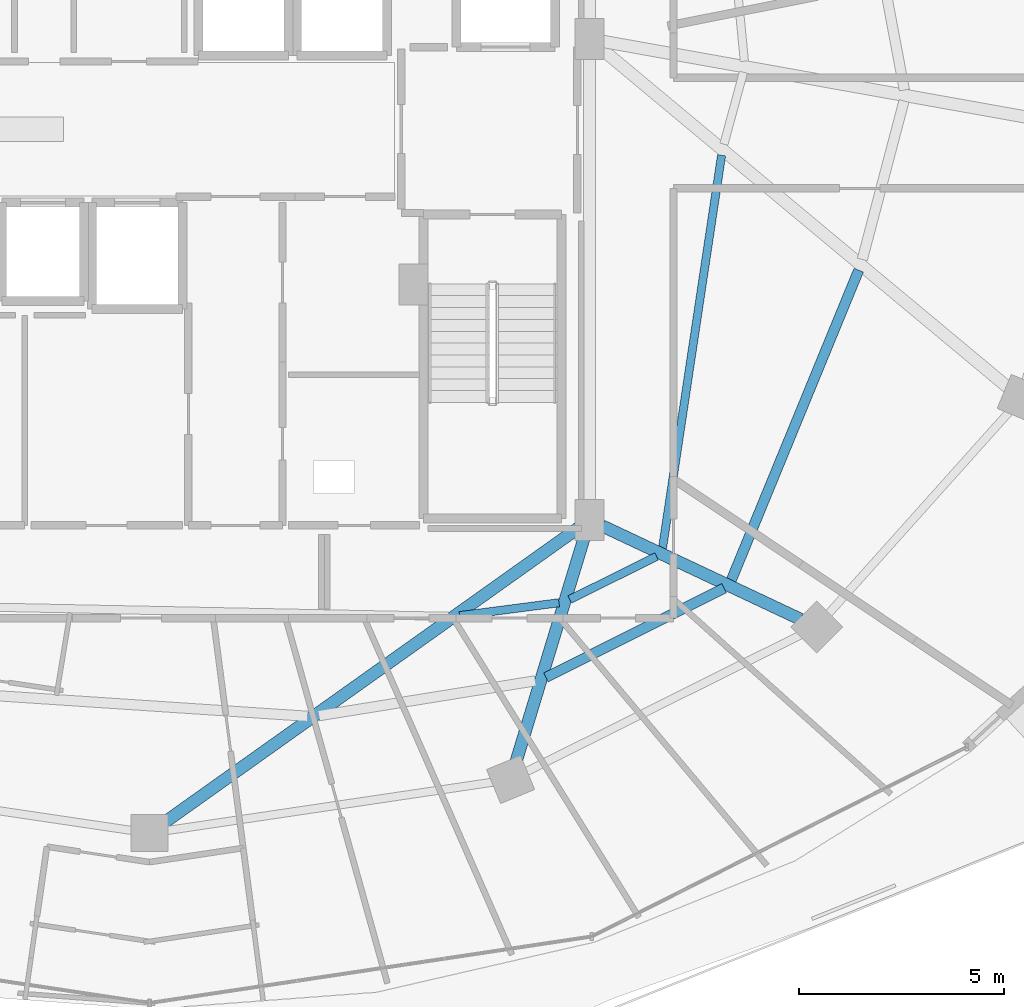
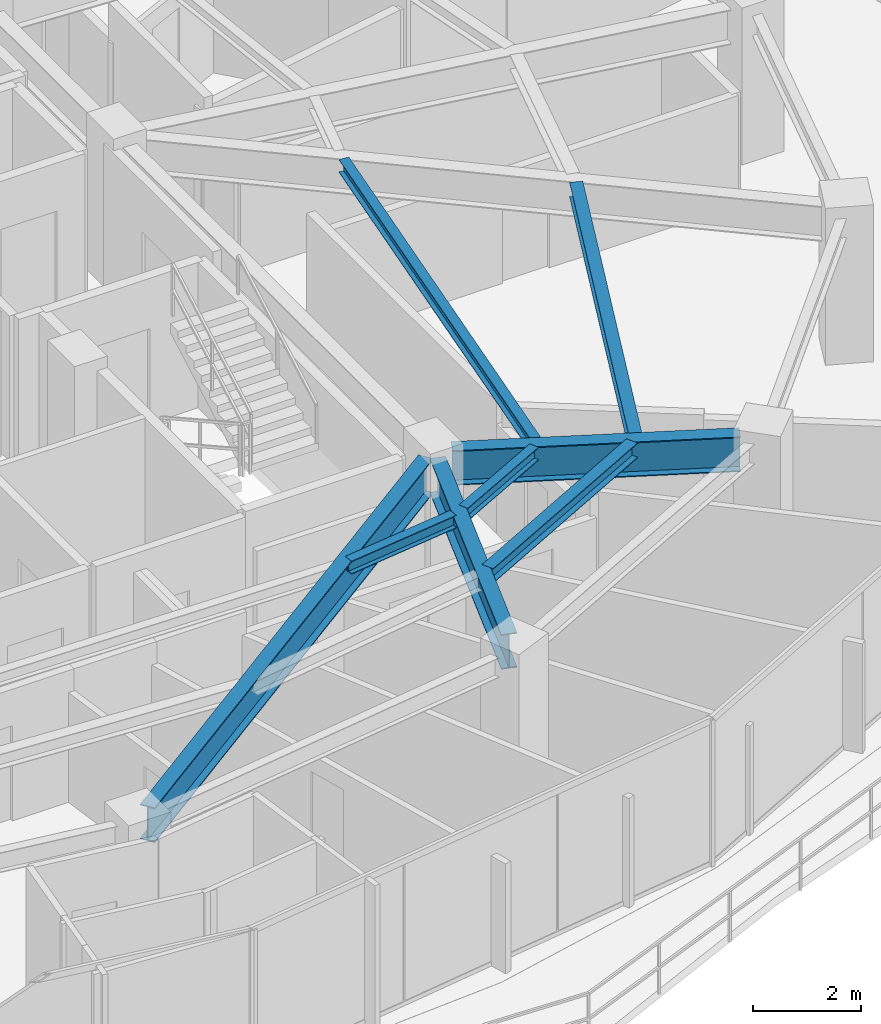
# One storey, part 12 of 34: 8 beams.
"""IFC4 building model written with IfcOpenShell, lengths in metres."""

from ifc_helpers import new_model, si_unit, direction, frame, origin, origin_2d, place, context, subcontext, project, spatial, i_section, extrude, material, material_profile, profile_set, type_object, element, save


model = new_model("IFC4")

# Units and contexts
model_context = context("Model", 3, precision=1e-05, world=origin(), true_north=direction((0.0, 1.0)))
body_context = subcontext(model_context, "Body", "Model", "MODEL_VIEW")
ifc_project = project(units=[si_unit("LENGTHUNIT", "METRE"), si_unit("AREAUNIT", "SQUARE_METRE"), si_unit("VOLUMEUNIT", "CUBIC_METRE"), si_unit("PLANEANGLEUNIT", "RADIAN"), si_unit("MASSUNIT", "GRAM", prefix="KILO")], contexts=[model_context])

# Site, building, storey
site_placement = place(None, origin())
site = spatial("IfcSite", under=ifc_project, at=site_placement, CompositionType="ELEMENT")
building_placement = place(site_placement, origin())
building = spatial("IfcBuilding", under=site, at=building_placement, Name="Vorneva Point Tower", CompositionType="ELEMENT")
storey_placement = place(building_placement, frame((0.0, 0.0, 214.300048828125)))
storey = spatial("IfcBuildingStorey", under=building, at=storey_placement, Name="L58", CompositionType="ELEMENT", Elevation=214.300048828125)

# Beams
ifc_material = material(Name="Steel S355", Category="steel")
ifc_material_profile_1 = material_profile(ifc_material, i_section(OverallWidth=0.300048828125, OverallDepth=0.7880859375, WebThickness=0.014404296875, FlangeThickness=0.02197265625, at=origin_2d()), Name="80Sh1")
ifc_profile_set_1 = profile_set([ifc_material_profile_1], Name="Steel S355")
beam_type_1 = type_object("IfcBeamType", Name="BM-GRD-80Sh1", PredefinedType="USERDEFINED", material=ifc_profile_set_1)
beam_1_placement = place(storey_placement, frame((38.35693359375, 9.053955078125, 2.89599609375), z_axis=(0.814749933852, 0.579812508737, 0.0), x_axis=(-0.579812508737, 0.814749933852, 0.0)))
element("IfcBeam", 1, at=beam_1_placement, inside=storey, type_object=beam_type_1, Name="L58 Radial Primary Girder 13", ObjectType="GIRDER", PredefinedType="USERDEFINED", context=body_context, shape_type="SweptSolid", body=[
    extrude(i_section(OverallWidth=0.300048828125, OverallDepth=0.7880859375, WebThickness=0.014404296875, FlangeThickness=0.02197265625, at=origin_2d()), origin(), (0.0, 0.0, 1.0), 12.416015625),
])
beam_2_placement = place(storey_placement, frame((46.948486328125, 10.5283203125, 2.89599609375), z_axis=(0.291025429135, 0.956715317948, 0.0), x_axis=(-0.956715317948, 0.291025429135, 0.0)))
element("IfcBeam", 2, at=beam_2_placement, inside=storey, type_object=beam_type_1, Name="L58 Radial Primary Girder 14", ObjectType="GIRDER", PredefinedType="USERDEFINED", context=body_context, shape_type="SweptSolid", body=[
    extrude(i_section(OverallWidth=0.300048828125, OverallDepth=0.7880859375, WebThickness=0.014404296875, FlangeThickness=0.02197265625, at=origin_2d()), origin(), (0.0, 0.0, 1.0), 5.849609375),
])
beam_3_placement = place(storey_placement, frame((53.902587890625, 14.0244140625, 2.89599609375), z_axis=(-0.904762899762, 0.42591559635, 0.0), x_axis=(-0.42591559635, -0.904762899762, 0.0)))
element("IfcBeam", 3, at=beam_3_placement, inside=storey, type_object=beam_type_1, Name="L58 Radial Primary Girder 15", ObjectType="GIRDER", PredefinedType="USERDEFINED", context=body_context, shape_type="SweptSolid", body=[
    extrude(i_section(OverallWidth=0.300048828125, OverallDepth=0.7880859375, WebThickness=0.014404296875, FlangeThickness=0.02197265625, at=origin_2d()), origin(), (0.0, 0.0, 1.0), 5.35498046875),
])
ifc_material_profile_2 = material_profile(ifc_material, i_section(OverallWidth=0.199951171875, OverallDepth=0.291015625, WebThickness=0.008056640625, FlangeThickness=0.010986328125, at=origin_2d()), Name="30Sh1")
ifc_profile_set_2 = profile_set([ifc_material_profile_2], Name="Steel S355")
beam_type_2 = type_object("IfcBeamType", Name="BM-SEC-30Sh1", PredefinedType="BEAM", material=ifc_profile_set_2)
beam_4_placement = place(storey_placement, frame((45.574951171875, 14.111083984375, 3.14453125), z_axis=(0.991593183209, 0.129394586489, 0.0), x_axis=(-0.129394586489, 0.991593183209, 0.0)))
element("IfcBeam", 4, at=beam_4_placement, inside=storey, type_object=beam_type_2, Name="L58 Secondary Floor Beam 2.13", PredefinedType="BEAM", context=body_context, shape_type="SweptSolid", body=[
    extrude(i_section(OverallWidth=0.199951171875, OverallDepth=0.291015625, WebThickness=0.008056640625, FlangeThickness=0.010986328125, at=origin_2d()), origin(), (0.0, 0.0, 1.0), 2.448974609375),
])
beam_5_placement = place(storey_placement, frame((48.263916015625, 14.507080078125, 3.14453125), z_axis=(0.895946483514, 0.4441620185, 0.0), x_axis=(-0.4441620185, 0.895946483514, 0.0)))
element("IfcBeam", 5, at=beam_5_placement, inside=storey, type_object=beam_type_2, Name="L58 Secondary Floor Beam 2.14", PredefinedType="BEAM", context=body_context, shape_type="SweptSolid", body=[
    extrude(i_section(OverallWidth=0.199951171875, OverallDepth=0.291015625, WebThickness=0.008056640625, FlangeThickness=0.010986328125, at=origin_2d()), origin(), (0.0, 0.0, 1.0), 2.3701171875),
])
beam_6_placement = place(storey_placement, frame((50.531494140625, 15.75732421875, 3.14453125), z_axis=(0.14865392948, 0.988889280582, 0.0), x_axis=(-0.988889280582, 0.14865392948, 0.0)))
element("IfcBeam", 6, at=beam_6_placement, inside=storey, type_object=beam_type_2, Name="L58 Secondary Floor Beam 2.15", PredefinedType="BEAM", context=body_context, shape_type="SweptSolid", body=[
    extrude(i_section(OverallWidth=0.199951171875, OverallDepth=0.291015625, WebThickness=0.008056640625, FlangeThickness=0.010986328125, at=origin_2d()), origin(), (0.0, 0.0, 1.0), 9.711181640625),
])
ifc_material_profile_3 = material_profile(ifc_material, i_section(OverallWidth=0.2490234375, OverallDepth=0.333984375, WebThickness=0.008056640625, FlangeThickness=0.010986328125, at=origin_2d()), Name="35Sh1")
ifc_profile_set_3 = profile_set([ifc_material_profile_3], Name="Steel S355")
beam_type_3 = type_object("IfcBeamType", Name="BM-SEC-35Sh1", PredefinedType="BEAM", material=ifc_profile_set_3)
beam_7_placement = place(storey_placement, frame((47.684814453125, 12.604736328125, 3.123046875), z_axis=(0.89410580889, 0.44785578316, 0.0), x_axis=(-0.44785578316, 0.89410580889, 0.0)))
element("IfcBeam", 7, at=beam_7_placement, inside=storey, type_object=beam_type_3, Name="L58 Secondary Floor Beam 1.14", PredefinedType="BEAM", context=body_context, shape_type="SweptSolid", body=[
    extrude(i_section(OverallWidth=0.2490234375, OverallDepth=0.333984375, WebThickness=0.008056640625, FlangeThickness=0.010986328125, at=origin_2d()), origin(), (0.0, 0.0, 1.0), 4.865234375),
])
beam_8_placement = place(storey_placement, frame((52.210693359375, 14.97314453125, 3.123046875), z_axis=(0.380070895396, 0.924957358192, 0.0), x_axis=(-0.924957358192, 0.380070895396, 0.0)))
element("IfcBeam", 8, at=beam_8_placement, inside=storey, type_object=beam_type_3, Name="L58 Secondary Floor Beam 1.15", PredefinedType="BEAM", context=body_context, shape_type="SweptSolid", body=[
    extrude(i_section(OverallWidth=0.2490234375, OverallDepth=0.333984375, WebThickness=0.008056640625, FlangeThickness=0.010986328125, at=origin_2d()), origin(), (0.0, 0.0, 1.0), 8.194580078125),
])

save(model, "model.ifc")
